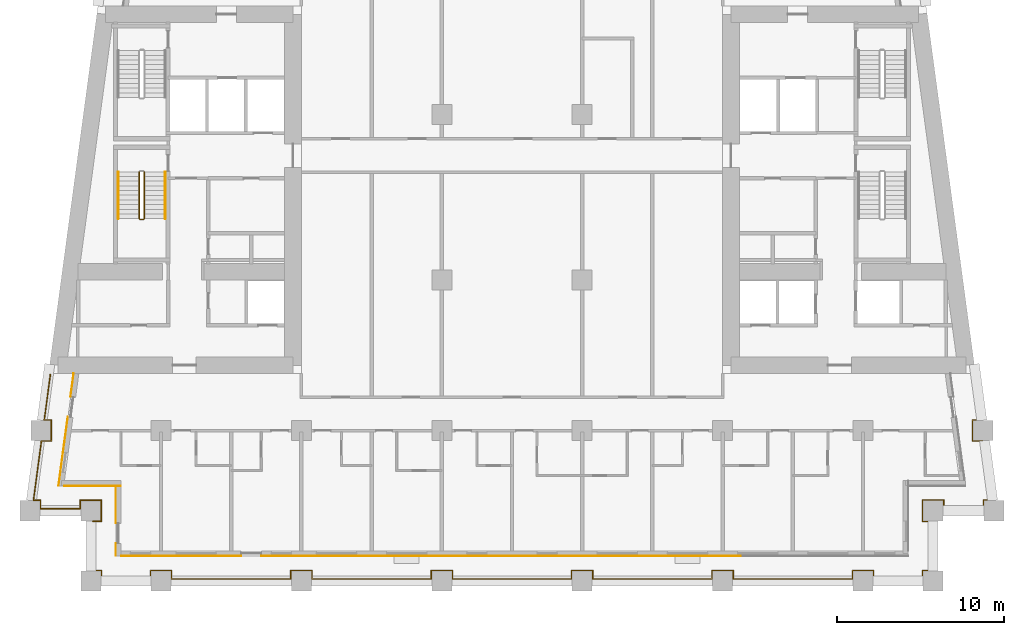
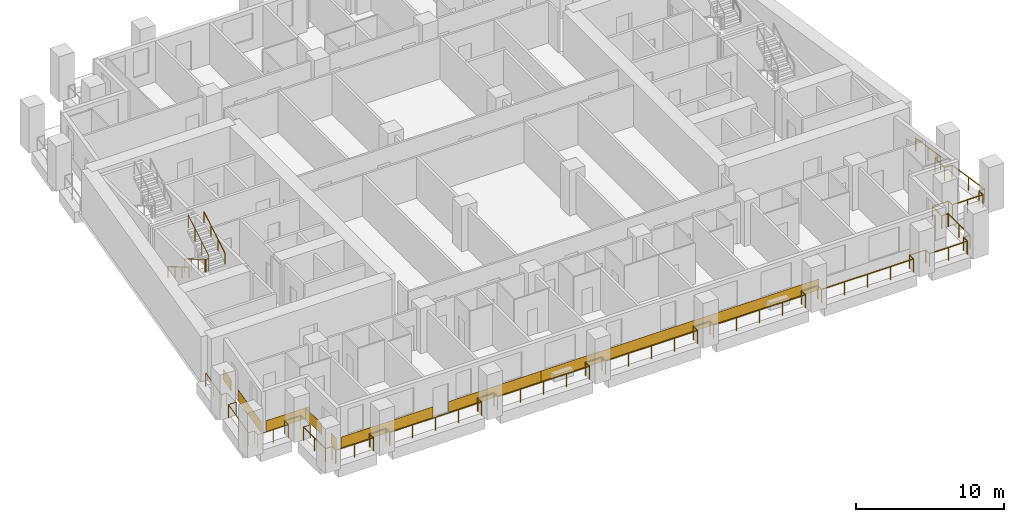
# One storey, part 10 of 14: 8 coverings, 5 railings.
"""IFC4 building model written with IfcOpenShell, lengths in metres."""

from ifc_helpers import new_model, si_unit, direction, frame, origin, origin_2d, place, context, subcontext, project, spatial, rectangle, circle, extrude, material, layer, layer_set, type_object, element, save


model = new_model("IFC4")

# Units and contexts
model_context = context("Model", 3, precision=1e-05, world=origin(), true_north=direction((0.0, 1.0)))
body_context = subcontext(model_context, "Body", "Model", "MODEL_VIEW")
ifc_project = project(units=[si_unit("LENGTHUNIT", "METRE"), si_unit("AREAUNIT", "SQUARE_METRE"), si_unit("VOLUMEUNIT", "CUBIC_METRE"), si_unit("PLANEANGLEUNIT", "RADIAN"), si_unit("MASSUNIT", "GRAM", prefix="KILO")], contexts=[model_context])

# Site, building, storey
site_placement = place(None, origin())
site = spatial("IfcSite", under=ifc_project, at=site_placement, CompositionType="ELEMENT")
building_placement = place(site_placement, origin())
building = spatial("IfcBuilding", under=site, at=building_placement, Name="Candeia Pilgrim Tower and Theatre", CompositionType="ELEMENT")
storey_placement = place(building_placement, frame((0.0, 0.0, 116.89990234375)))
storey = spatial("IfcBuildingStorey", under=building, at=storey_placement, Name="L27", CompositionType="ELEMENT", Elevation=116.89990234375)

# Railings
ifc_material_1 = material(Name="Stainless steel balustrade", Category="steel")
railing_type_1 = type_object("IfcRailingType", Name="G1 loggia guard 1100", PredefinedType="GUARDRAIL", material=ifc_material_1)
railing_1_placement = place(storey_placement, frame((88.320068359375, 101.570068359375, 0.0)))
element("IfcRailing", 1, at=railing_1_placement, inside=storey, type_object=railing_type_1, Name="Guard L27.1", PredefinedType="GUARDRAIL", context=body_context, shape_type="SweptSolid", body=[
    extrude(circle(Radius=0.02392578125, at=origin_2d()), frame((0.0, 0.0, 1.076171875), z_axis=(1.0, 0.0, 0.0), x_axis=(0.0, 1.0, 0.0)), (0.0, 0.0, 1.0), 0.510009765625),
    extrude(circle(Radius=0.02392578125, at=origin_2d()), frame((0.510009765625, 0.0, 1.076171875), z_axis=(0.0, 1.0, 0.0), x_axis=(-1.0, 0.0, 0.0)), (0.0, 0.0, 1.0), 1.260009765625),
    extrude(circle(Radius=0.02392578125, at=origin_2d()), frame((0.510009765625, 1.260009765625, 1.076171875), z_axis=(-1.0, 0.0, 0.0), x_axis=(0.0, -1.0, 0.0)), (0.0, 0.0, 1.0), 1.260009765625),
    extrude(circle(Radius=0.02392578125, at=origin_2d()), frame((-0.75, 1.260009765625, 1.076171875), z_axis=(0.0, -1.0, 0.0), x_axis=(1.0, 0.0, 0.0)), (0.0, 0.0, 1.0), 0.510009765625),
    extrude(circle(Radius=0.02392578125, at=origin_2d()), frame((-0.75, 0.75, 1.076171875), z_axis=(-1.0, 0.0, 0.0), x_axis=(0.0, -1.0, 0.0)), (0.0, 0.0, 1.0), 2.374755859375),
    extrude(circle(Radius=0.02392578125, at=origin_2d()), frame((-3.124755859375, 0.75, 1.076171875), z_axis=(0.0, 1.0, 0.0), x_axis=(-1.0, 0.0, 0.0)), (0.0, 0.0, 1.0), 0.510009765625),
    extrude(circle(Radius=0.02392578125, at=origin_2d()), frame((-3.124755859375, 1.260009765625, 1.076171875), z_axis=(-1.0, 0.0, 0.0), x_axis=(0.0, -1.0, 0.0)), (0.0, 0.0, 1.0), 0.424072265625),
    extrude(circle(Radius=0.02392578125, at=origin_2d()), frame((-3.548828125, 1.260009765625, 1.076171875), z_axis=(0.133417176173, 0.991059966451, 0.0), x_axis=(-0.991059966451, 0.133417176173, 0.0)), (0.0, 0.0, 1.0), 3.572021484375),
    extrude(circle(Radius=0.02392578125, at=origin_2d()), frame((-3.072265625, 4.800048828125, 1.076171875), z_axis=(1.0, 0.0, 0.0), x_axis=(0.0, 1.0, 0.0)), (0.0, 0.0, 1.0), 0.59375),
    extrude(circle(Radius=0.02392578125, at=origin_2d()), frame((-2.478515625, 4.800048828125, 1.076171875), z_axis=(0.0, 1.0, 0.0), x_axis=(-1.0, 0.0, 0.0)), (0.0, 0.0, 1.0), 1.259765625),
    extrude(circle(Radius=0.02392578125, at=origin_2d()), frame((-2.478515625, 6.059814453125, 1.076171875), z_axis=(-1.0, 0.0, 0.0), x_axis=(0.0, -1.0, 0.0)), (0.0, 0.0, 1.0), 0.424072265625),
    extrude(circle(Radius=0.02392578125, at=origin_2d()), frame((-2.902587890625, 6.059814453125, 1.076171875), z_axis=(0.1334220927, 0.991059304572, 0.0), x_axis=(-0.991059304572, 0.1334220927, 0.0)), (0.0, 0.0, 1.0), 2.744873046875),
    extrude(circle(Radius=0.02099609375, at=origin_2d()), origin(), (0.0, 0.0, 1.0), 1.052001953125),
    extrude(circle(Radius=0.02099609375, at=origin_2d()), frame((0.510009765625, 0.0, 0.0)), (0.0, 0.0, 1.0), 1.052001953125),
    extrude(circle(Radius=0.02099609375, at=origin_2d()), frame((0.510009765625, 1.260009765625, 0.0)), (0.0, 0.0, 1.0), 1.052001953125),
    extrude(circle(Radius=0.02099609375, at=origin_2d()), frame((-0.75, 1.260009765625, 0.0)), (0.0, 0.0, 1.0), 1.052001953125),
    extrude(circle(Radius=0.02099609375, at=origin_2d()), frame((-0.75, 0.75, 0.0)), (0.0, 0.0, 1.0), 1.052001953125),
    extrude(circle(Radius=0.02099609375, at=origin_2d()), frame((-1.9375, 0.75, 0.0)), (0.0, 0.0, 1.0), 1.052001953125),
    extrude(circle(Radius=0.02099609375, at=origin_2d()), frame((-3.124755859375, 0.75, 0.0)), (0.0, 0.0, 1.0), 1.052001953125),
    extrude(circle(Radius=0.02099609375, at=origin_2d()), frame((-3.124755859375, 1.260009765625, 0.0)), (0.0, 0.0, 1.0), 1.052001953125),
    extrude(circle(Radius=0.02099609375, at=origin_2d()), frame((-3.548828125, 1.260009765625, 0.0)), (0.0, 0.0, 1.0), 1.052001953125),
    extrude(circle(Radius=0.02099609375, at=origin_2d()), frame((-3.310546875, 3.030029296875, 0.0)), (0.0, 0.0, 1.0), 1.052001953125),
    extrude(circle(Radius=0.02099609375, at=origin_2d()), frame((-3.072265625, 4.800048828125, 0.0)), (0.0, 0.0, 1.0), 1.052001953125),
    extrude(circle(Radius=0.02099609375, at=origin_2d()), frame((-2.478515625, 4.800048828125, 0.0)), (0.0, 0.0, 1.0), 1.052001953125),
    extrude(circle(Radius=0.02099609375, at=origin_2d()), frame((-2.478515625, 6.059814453125, 0.0)), (0.0, 0.0, 1.0), 1.052001953125),
    extrude(circle(Radius=0.02099609375, at=origin_2d()), frame((-2.902587890625, 6.059814453125, 0.0)), (0.0, 0.0, 1.0), 1.052001953125),
    extrude(circle(Radius=0.02099609375, at=origin_2d()), frame((-2.719482421875, 7.419921875, 0.0)), (0.0, 0.0, 1.0), 1.052001953125),
    extrude(circle(Radius=0.02099609375, at=origin_2d()), frame((-2.536376953125, 8.780029296875, 0.0)), (0.0, 0.0, 1.0), 1.052001953125),
])
railing_2_placement = place(storey_placement, frame((141.016357421875, 110.35009765625, 0.0)))
element("IfcRailing", 2, at=railing_2_placement, inside=storey, type_object=railing_type_1, Name="Guard L27.4", PredefinedType="GUARDRAIL", context=body_context, shape_type="SweptSolid", body=[
    extrude(circle(Radius=0.02392578125, at=origin_2d()), frame((0.0, 0.0, 1.076171875), z_axis=(0.1334220927, -0.991059304572, 0.0), x_axis=(0.991059304572, 0.1334220927, 0.0)), (0.0, 0.0, 1.0), 2.744873046875),
    extrude(circle(Radius=0.02392578125, at=origin_2d()), frame((0.3662109375, -2.72021484375, 1.076171875), z_axis=(-1.0, 0.0, 0.0), x_axis=(0.0, -1.0, 0.0)), (0.0, 0.0, 1.0), 0.424072265625),
    extrude(circle(Radius=0.02392578125, at=origin_2d()), frame((-0.057861328125, -2.72021484375, 1.076171875), z_axis=(0.0, -1.0, 0.0), x_axis=(1.0, 0.0, 0.0)), (0.0, 0.0, 1.0), 1.259765625),
    extrude(circle(Radius=0.02392578125, at=origin_2d()), frame((-0.057861328125, -3.97998046875, 1.076171875), z_axis=(1.0, 0.0, 0.0), x_axis=(0.0, 1.0, 0.0)), (0.0, 0.0, 1.0), 0.59375),
    extrude(circle(Radius=0.02392578125, at=origin_2d()), frame((0.535888671875, -3.97998046875, 1.076171875), z_axis=(0.133417176173, -0.991059966451, 0.0), x_axis=(0.991059966451, 0.133417176173, 0.0)), (0.0, 0.0, 1.0), 3.572021484375),
    extrude(circle(Radius=0.02392578125, at=origin_2d()), frame((1.012451171875, -7.52001953125, 1.076171875), z_axis=(-1.0, 0.0, 0.0), x_axis=(0.0, -1.0, 0.0)), (0.0, 0.0, 1.0), 0.424072265625),
    extrude(circle(Radius=0.02392578125, at=origin_2d()), frame((0.58837890625, -7.52001953125, 1.076171875), z_axis=(0.0, -1.0, 0.0), x_axis=(1.0, 0.0, 0.0)), (0.0, 0.0, 1.0), 0.510009765625),
    extrude(circle(Radius=0.02392578125, at=origin_2d()), frame((0.58837890625, -8.030029296875, 1.076171875), z_axis=(-1.0, 0.0, 0.0), x_axis=(0.0, -1.0, 0.0)), (0.0, 0.0, 1.0), 2.374755859375),
    extrude(circle(Radius=0.02392578125, at=origin_2d()), frame((-1.786376953125, -8.030029296875, 1.076171875), z_axis=(0.0, 1.0, 0.0), x_axis=(-1.0, 0.0, 0.0)), (0.0, 0.0, 1.0), 0.510009765625),
    extrude(circle(Radius=0.02392578125, at=origin_2d()), frame((-1.786376953125, -7.52001953125, 1.076171875), z_axis=(-1.0, 0.0, 0.0), x_axis=(0.0, -1.0, 0.0)), (0.0, 0.0, 1.0), 1.260009765625),
    extrude(circle(Radius=0.02392578125, at=origin_2d()), frame((-3.04638671875, -7.52001953125, 1.076171875), z_axis=(0.0, -1.0, 0.0), x_axis=(1.0, 0.0, 0.0)), (0.0, 0.0, 1.0), 1.260009765625),
    extrude(circle(Radius=0.02392578125, at=origin_2d()), frame((-3.04638671875, -8.780029296875, 1.076171875), z_axis=(1.0, 0.0, 0.0), x_axis=(0.0, 1.0, 0.0)), (0.0, 0.0, 1.0), 0.510009765625),
    extrude(circle(Radius=0.02392578125, at=origin_2d()), frame((-2.536376953125, -8.780029296875, 1.076171875), z_axis=(0.0, -1.0, 0.0), x_axis=(1.0, 0.0, 0.0)), (0.0, 0.0, 1.0), 2.940185546875),
    extrude(circle(Radius=0.02392578125, at=origin_2d()), frame((-2.536376953125, -11.72021484375, 1.076171875), z_axis=(-1.0, 0.0, 0.0), x_axis=(0.0, -1.0, 0.0)), (0.0, 0.0, 1.0), 0.510009765625),
    extrude(circle(Radius=0.02392578125, at=origin_2d()), frame((-3.04638671875, -11.72021484375, 1.076171875), z_axis=(0.0, -1.0, 0.0), x_axis=(1.0, 0.0, 0.0)), (0.0, 0.0, 1.0), 0.509765625),
    extrude(circle(Radius=0.02392578125, at=origin_2d()), frame((-3.04638671875, -12.22998046875, 1.076171875), z_axis=(-1.0, 0.0, 0.0), x_axis=(0.0, -1.0, 0.0)), (0.0, 0.0, 1.0), 2.93994140625),
    extrude(circle(Radius=0.02392578125, at=origin_2d()), frame((-5.986328125, -12.22998046875, 1.076171875), z_axis=(0.0, 1.0, 0.0), x_axis=(-1.0, 0.0, 0.0)), (0.0, 0.0, 1.0), 0.509765625),
    extrude(circle(Radius=0.02392578125, at=origin_2d()), frame((-5.986328125, -11.72021484375, 1.076171875), z_axis=(-1.0, 0.0, 0.0), x_axis=(0.0, -1.0, 0.0)), (0.0, 0.0, 1.0), 1.260009765625),
    extrude(circle(Radius=0.02392578125, at=origin_2d()), frame((-7.246337890625, -11.72021484375, 1.076171875), z_axis=(0.0, -1.0, 0.0), x_axis=(1.0, 0.0, 0.0)), (0.0, 0.0, 1.0), 0.509765625),
    extrude(circle(Radius=0.02392578125, at=origin_2d()), frame((-7.246337890625, -12.22998046875, 1.076171875), z_axis=(-1.0, 0.0, 0.0), x_axis=(0.0, -1.0, 0.0)), (0.0, 0.0, 1.0), 7.14013671875),
    extrude(circle(Radius=0.02392578125, at=origin_2d()), frame((-14.386474609375, -12.22998046875, 1.076171875), z_axis=(0.0, 1.0, 0.0), x_axis=(-1.0, 0.0, 0.0)), (0.0, 0.0, 1.0), 0.509765625),
    extrude(circle(Radius=0.02392578125, at=origin_2d()), frame((-14.386474609375, -11.72021484375, 1.076171875), z_axis=(-1.0, 0.0, 0.0), x_axis=(0.0, -1.0, 0.0)), (0.0, 0.0, 1.0), 1.259765625),
    extrude(circle(Radius=0.02392578125, at=origin_2d()), frame((-15.646240234375, -11.72021484375, 1.076171875), z_axis=(0.0, -1.0, 0.0), x_axis=(1.0, 0.0, 0.0)), (0.0, 0.0, 1.0), 0.509765625),
    extrude(circle(Radius=0.02392578125, at=origin_2d()), frame((-15.646240234375, -12.22998046875, 1.076171875), z_axis=(-1.0, 0.0, 0.0), x_axis=(0.0, -1.0, 0.0)), (0.0, 0.0, 1.0), 7.14013671875),
    extrude(circle(Radius=0.02392578125, at=origin_2d()), frame((-22.786376953125, -12.22998046875, 1.076171875), z_axis=(0.0, 1.0, 0.0), x_axis=(-1.0, 0.0, 0.0)), (0.0, 0.0, 1.0), 0.509765625),
    extrude(circle(Radius=0.02392578125, at=origin_2d()), frame((-22.786376953125, -11.72021484375, 1.076171875), z_axis=(-1.0, 0.0, 0.0), x_axis=(0.0, -1.0, 0.0)), (0.0, 0.0, 1.0), 1.260009765625),
    extrude(circle(Radius=0.02392578125, at=origin_2d()), frame((-24.04638671875, -11.72021484375, 1.076171875), z_axis=(0.0, -1.0, 0.0), x_axis=(1.0, 0.0, 0.0)), (0.0, 0.0, 1.0), 0.509765625),
    extrude(circle(Radius=0.02392578125, at=origin_2d()), frame((-24.04638671875, -12.22998046875, 1.076171875), z_axis=(-1.0, 0.0, 0.0), x_axis=(0.0, -1.0, 0.0)), (0.0, 0.0, 1.0), 7.139892578125),
    extrude(circle(Radius=0.02392578125, at=origin_2d()), frame((-31.186279296875, -12.22998046875, 1.076171875), z_axis=(0.0, 1.0, 0.0), x_axis=(-1.0, 0.0, 0.0)), (0.0, 0.0, 1.0), 0.509765625),
    extrude(circle(Radius=0.02392578125, at=origin_2d()), frame((-31.186279296875, -11.72021484375, 1.076171875), z_axis=(-1.0, 0.0, 0.0), x_axis=(0.0, -1.0, 0.0)), (0.0, 0.0, 1.0), 1.260009765625),
    extrude(circle(Radius=0.02392578125, at=origin_2d()), frame((-32.4462890625, -11.72021484375, 1.076171875), z_axis=(0.0, -1.0, 0.0), x_axis=(1.0, 0.0, 0.0)), (0.0, 0.0, 1.0), 0.509765625),
    extrude(circle(Radius=0.02392578125, at=origin_2d()), frame((-32.4462890625, -12.22998046875, 1.076171875), z_axis=(-1.0, 0.0, 0.0), x_axis=(0.0, -1.0, 0.0)), (0.0, 0.0, 1.0), 7.14013671875),
    extrude(circle(Radius=0.02392578125, at=origin_2d()), frame((-39.58642578125, -12.22998046875, 1.076171875), z_axis=(0.0, 1.0, 0.0), x_axis=(-1.0, 0.0, 0.0)), (0.0, 0.0, 1.0), 0.509765625),
    extrude(circle(Radius=0.02392578125, at=origin_2d()), frame((-39.58642578125, -11.72021484375, 1.076171875), z_axis=(-1.0, 0.0, 0.0), x_axis=(0.0, -1.0, 0.0)), (0.0, 0.0, 1.0), 1.260009765625),
    extrude(circle(Radius=0.02392578125, at=origin_2d()), frame((-40.846435546875, -11.72021484375, 1.076171875), z_axis=(0.0, -1.0, 0.0), x_axis=(1.0, 0.0, 0.0)), (0.0, 0.0, 1.0), 0.509765625),
    extrude(circle(Radius=0.02392578125, at=origin_2d()), frame((-40.846435546875, -12.22998046875, 1.076171875), z_axis=(-1.0, 0.0, 0.0), x_axis=(0.0, -1.0, 0.0)), (0.0, 0.0, 1.0), 7.139892578125),
    extrude(circle(Radius=0.02392578125, at=origin_2d()), frame((-47.986328125, -12.22998046875, 1.076171875), z_axis=(0.0, 1.0, 0.0), x_axis=(-1.0, 0.0, 0.0)), (0.0, 0.0, 1.0), 0.509765625),
    extrude(circle(Radius=0.02392578125, at=origin_2d()), frame((-47.986328125, -11.72021484375, 1.076171875), z_axis=(-1.0, 0.0, 0.0), x_axis=(0.0, -1.0, 0.0)), (0.0, 0.0, 1.0), 1.260009765625),
    extrude(circle(Radius=0.02392578125, at=origin_2d()), frame((-49.246337890625, -11.72021484375, 1.076171875), z_axis=(0.0, -1.0, 0.0), x_axis=(1.0, 0.0, 0.0)), (0.0, 0.0, 1.0), 0.509765625),
    extrude(circle(Radius=0.02392578125, at=origin_2d()), frame((-49.246337890625, -12.22998046875, 1.076171875), z_axis=(-1.0, 0.0, 0.0), x_axis=(0.0, -1.0, 0.0)), (0.0, 0.0, 1.0), 2.93994140625),
    extrude(circle(Radius=0.02392578125, at=origin_2d()), frame((-52.186279296875, -12.22998046875, 1.076171875), z_axis=(0.0, 1.0, 0.0), x_axis=(-1.0, 0.0, 0.0)), (0.0, 0.0, 1.0), 0.509765625),
    extrude(circle(Radius=0.02392578125, at=origin_2d()), frame((-52.186279296875, -11.72021484375, 1.076171875), z_axis=(-1.0, 0.0, 0.0), x_axis=(0.0, -1.0, 0.0)), (0.0, 0.0, 1.0), 0.510009765625),
    extrude(circle(Radius=0.02392578125, at=origin_2d()), frame((-52.6962890625, -11.72021484375, 1.076171875), z_axis=(0.0, 1.0, 0.0), x_axis=(-1.0, 0.0, 0.0)), (0.0, 0.0, 1.0), 2.940185546875),
    extrude(circle(Radius=0.02099609375, at=origin_2d()), origin(), (0.0, 0.0, 1.0), 1.052001953125),
    extrude(circle(Radius=0.02099609375, at=origin_2d()), frame((0.18310546875, -1.360107421875, 0.0)), (0.0, 0.0, 1.0), 1.052001953125),
    extrude(circle(Radius=0.02099609375, at=origin_2d()), frame((0.3662109375, -2.72021484375, 0.0)), (0.0, 0.0, 1.0), 1.052001953125),
    extrude(circle(Radius=0.02099609375, at=origin_2d()), frame((-0.057861328125, -2.72021484375, 0.0)), (0.0, 0.0, 1.0), 1.052001953125),
    extrude(circle(Radius=0.02099609375, at=origin_2d()), frame((-0.057861328125, -3.97998046875, 0.0)), (0.0, 0.0, 1.0), 1.052001953125),
    extrude(circle(Radius=0.02099609375, at=origin_2d()), frame((0.535888671875, -3.97998046875, 0.0)), (0.0, 0.0, 1.0), 1.052001953125),
    extrude(circle(Radius=0.02099609375, at=origin_2d()), frame((0.774169921875, -5.75, 0.0)), (0.0, 0.0, 1.0), 1.052001953125),
    extrude(circle(Radius=0.02099609375, at=origin_2d()), frame((1.012451171875, -7.52001953125, 0.0)), (0.0, 0.0, 1.0), 1.052001953125),
    extrude(circle(Radius=0.02099609375, at=origin_2d()), frame((0.58837890625, -7.52001953125, 0.0)), (0.0, 0.0, 1.0), 1.052001953125),
    extrude(circle(Radius=0.02099609375, at=origin_2d()), frame((0.58837890625, -8.030029296875, 0.0)), (0.0, 0.0, 1.0), 1.052001953125),
    extrude(circle(Radius=0.02099609375, at=origin_2d()), frame((-0.59912109375, -8.030029296875, 0.0)), (0.0, 0.0, 1.0), 1.052001953125),
    extrude(circle(Radius=0.02099609375, at=origin_2d()), frame((-1.786376953125, -8.030029296875, 0.0)), (0.0, 0.0, 1.0), 1.052001953125),
    extrude(circle(Radius=0.02099609375, at=origin_2d()), frame((-1.786376953125, -7.52001953125, 0.0)), (0.0, 0.0, 1.0), 1.052001953125),
    extrude(circle(Radius=0.02099609375, at=origin_2d()), frame((-3.04638671875, -7.52001953125, 0.0)), (0.0, 0.0, 1.0), 1.052001953125),
    extrude(circle(Radius=0.02099609375, at=origin_2d()), frame((-3.04638671875, -8.780029296875, 0.0)), (0.0, 0.0, 1.0), 1.052001953125),
    extrude(circle(Radius=0.02099609375, at=origin_2d()), frame((-2.536376953125, -8.780029296875, 0.0)), (0.0, 0.0, 1.0), 1.052001953125),
    extrude(circle(Radius=0.02099609375, at=origin_2d()), frame((-2.536376953125, -10.25, 0.0)), (0.0, 0.0, 1.0), 1.052001953125),
    extrude(circle(Radius=0.02099609375, at=origin_2d()), frame((-2.536376953125, -11.72021484375, 0.0)), (0.0, 0.0, 1.0), 1.052001953125),
    extrude(circle(Radius=0.02099609375, at=origin_2d()), frame((-3.04638671875, -11.72021484375, 0.0)), (0.0, 0.0, 1.0), 1.052001953125),
    extrude(circle(Radius=0.02099609375, at=origin_2d()), frame((-3.04638671875, -12.22998046875, 0.0)), (0.0, 0.0, 1.0), 1.052001953125),
    extrude(circle(Radius=0.02099609375, at=origin_2d()), frame((-4.516357421875, -12.22998046875, 0.0)), (0.0, 0.0, 1.0), 1.052001953125),
    extrude(circle(Radius=0.02099609375, at=origin_2d()), frame((-5.986328125, -12.22998046875, 0.0)), (0.0, 0.0, 1.0), 1.052001953125),
    extrude(circle(Radius=0.02099609375, at=origin_2d()), frame((-5.986328125, -11.72021484375, 0.0)), (0.0, 0.0, 1.0), 1.052001953125),
    extrude(circle(Radius=0.02099609375, at=origin_2d()), frame((-7.246337890625, -11.72021484375, 0.0)), (0.0, 0.0, 1.0), 1.052001953125),
    extrude(circle(Radius=0.02099609375, at=origin_2d()), frame((-7.246337890625, -12.22998046875, 0.0)), (0.0, 0.0, 1.0), 1.052001953125),
    extrude(circle(Radius=0.02099609375, at=origin_2d()), frame((-9.03125, -12.22998046875, 0.0)), (0.0, 0.0, 1.0), 1.052001953125),
    extrude(circle(Radius=0.02099609375, at=origin_2d()), frame((-10.81640625, -12.22998046875, 0.0)), (0.0, 0.0, 1.0), 1.052001953125),
    extrude(circle(Radius=0.02099609375, at=origin_2d()), frame((-12.6015625, -12.22998046875, 0.0)), (0.0, 0.0, 1.0), 1.052001953125),
    extrude(circle(Radius=0.02099609375, at=origin_2d()), frame((-14.386474609375, -12.22998046875, 0.0)), (0.0, 0.0, 1.0), 1.052001953125),
    extrude(circle(Radius=0.02099609375, at=origin_2d()), frame((-14.386474609375, -11.72021484375, 0.0)), (0.0, 0.0, 1.0), 1.052001953125),
    extrude(circle(Radius=0.02099609375, at=origin_2d()), frame((-15.646240234375, -11.72021484375, 0.0)), (0.0, 0.0, 1.0), 1.052001953125),
    extrude(circle(Radius=0.02099609375, at=origin_2d()), frame((-15.646240234375, -12.22998046875, 0.0)), (0.0, 0.0, 1.0), 1.052001953125),
    extrude(circle(Radius=0.02099609375, at=origin_2d()), frame((-17.43115234375, -12.22998046875, 0.0)), (0.0, 0.0, 1.0), 1.052001953125),
    extrude(circle(Radius=0.02099609375, at=origin_2d()), frame((-19.21630859375, -12.22998046875, 0.0)), (0.0, 0.0, 1.0), 1.052001953125),
    extrude(circle(Radius=0.02099609375, at=origin_2d()), frame((-21.00146484375, -12.22998046875, 0.0)), (0.0, 0.0, 1.0), 1.052001953125),
    extrude(circle(Radius=0.02099609375, at=origin_2d()), frame((-22.786376953125, -12.22998046875, 0.0)), (0.0, 0.0, 1.0), 1.052001953125),
    extrude(circle(Radius=0.02099609375, at=origin_2d()), frame((-22.786376953125, -11.72021484375, 0.0)), (0.0, 0.0, 1.0), 1.052001953125),
    extrude(circle(Radius=0.02099609375, at=origin_2d()), frame((-24.04638671875, -11.72021484375, 0.0)), (0.0, 0.0, 1.0), 1.052001953125),
    extrude(circle(Radius=0.02099609375, at=origin_2d()), frame((-24.04638671875, -12.22998046875, 0.0)), (0.0, 0.0, 1.0), 1.052001953125),
    extrude(circle(Radius=0.02099609375, at=origin_2d()), frame((-25.831298828125, -12.22998046875, 0.0)), (0.0, 0.0, 1.0), 1.052001953125),
    extrude(circle(Radius=0.02099609375, at=origin_2d()), frame((-27.6162109375, -12.22998046875, 0.0)), (0.0, 0.0, 1.0), 1.052001953125),
    extrude(circle(Radius=0.02099609375, at=origin_2d()), frame((-29.4013671875, -12.22998046875, 0.0)), (0.0, 0.0, 1.0), 1.052001953125),
    extrude(circle(Radius=0.02099609375, at=origin_2d()), frame((-31.186279296875, -12.22998046875, 0.0)), (0.0, 0.0, 1.0), 1.052001953125),
    extrude(circle(Radius=0.02099609375, at=origin_2d()), frame((-31.186279296875, -11.72021484375, 0.0)), (0.0, 0.0, 1.0), 1.052001953125),
    extrude(circle(Radius=0.02099609375, at=origin_2d()), frame((-32.4462890625, -11.72021484375, 0.0)), (0.0, 0.0, 1.0), 1.052001953125),
    extrude(circle(Radius=0.02099609375, at=origin_2d()), frame((-32.4462890625, -12.22998046875, 0.0)), (0.0, 0.0, 1.0), 1.052001953125),
    extrude(circle(Radius=0.02099609375, at=origin_2d()), frame((-34.2314453125, -12.22998046875, 0.0)), (0.0, 0.0, 1.0), 1.052001953125),
    extrude(circle(Radius=0.02099609375, at=origin_2d()), frame((-36.016357421875, -12.22998046875, 0.0)), (0.0, 0.0, 1.0), 1.052001953125),
    extrude(circle(Radius=0.02099609375, at=origin_2d()), frame((-37.80126953125, -12.22998046875, 0.0)), (0.0, 0.0, 1.0), 1.052001953125),
    extrude(circle(Radius=0.02099609375, at=origin_2d()), frame((-39.58642578125, -12.22998046875, 0.0)), (0.0, 0.0, 1.0), 1.052001953125),
    extrude(circle(Radius=0.02099609375, at=origin_2d()), frame((-39.58642578125, -11.72021484375, 0.0)), (0.0, 0.0, 1.0), 1.052001953125),
    extrude(circle(Radius=0.02099609375, at=origin_2d()), frame((-40.846435546875, -11.72021484375, 0.0)), (0.0, 0.0, 1.0), 1.052001953125),
    extrude(circle(Radius=0.02099609375, at=origin_2d()), frame((-40.846435546875, -12.22998046875, 0.0)), (0.0, 0.0, 1.0), 1.052001953125),
    extrude(circle(Radius=0.02099609375, at=origin_2d()), frame((-42.63134765625, -12.22998046875, 0.0)), (0.0, 0.0, 1.0), 1.052001953125),
    extrude(circle(Radius=0.02099609375, at=origin_2d()), frame((-44.41650390625, -12.22998046875, 0.0)), (0.0, 0.0, 1.0), 1.052001953125),
    extrude(circle(Radius=0.02099609375, at=origin_2d()), frame((-46.201416015625, -12.22998046875, 0.0)), (0.0, 0.0, 1.0), 1.052001953125),
    extrude(circle(Radius=0.02099609375, at=origin_2d()), frame((-47.986328125, -12.22998046875, 0.0)), (0.0, 0.0, 1.0), 1.052001953125),
    extrude(circle(Radius=0.02099609375, at=origin_2d()), frame((-47.986328125, -11.72021484375, 0.0)), (0.0, 0.0, 1.0), 1.052001953125),
    extrude(circle(Radius=0.02099609375, at=origin_2d()), frame((-49.246337890625, -11.72021484375, 0.0)), (0.0, 0.0, 1.0), 1.052001953125),
    extrude(circle(Radius=0.02099609375, at=origin_2d()), frame((-49.246337890625, -12.22998046875, 0.0)), (0.0, 0.0, 1.0), 1.052001953125),
    extrude(circle(Radius=0.02099609375, at=origin_2d()), frame((-50.71630859375, -12.22998046875, 0.0)), (0.0, 0.0, 1.0), 1.052001953125),
    extrude(circle(Radius=0.02099609375, at=origin_2d()), frame((-52.186279296875, -12.22998046875, 0.0)), (0.0, 0.0, 1.0), 1.052001953125),
    extrude(circle(Radius=0.02099609375, at=origin_2d()), frame((-52.186279296875, -11.72021484375, 0.0)), (0.0, 0.0, 1.0), 1.052001953125),
    extrude(circle(Radius=0.02099609375, at=origin_2d()), frame((-52.6962890625, -11.72021484375, 0.0)), (0.0, 0.0, 1.0), 1.052001953125),
    extrude(circle(Radius=0.02099609375, at=origin_2d()), frame((-52.6962890625, -10.25, 0.0)), (0.0, 0.0, 1.0), 1.052001953125),
    extrude(circle(Radius=0.02099609375, at=origin_2d()), frame((-52.6962890625, -8.780029296875, 0.0)), (0.0, 0.0, 1.0), 1.052001953125),
])

# Coverings
ifc_material_2 = material(Name="Glazed ceramic tile red")
ifc_layer_1 = layer(ifc_material_2, 0.02001953125)
ifc_layer_set_1 = layer_set([ifc_layer_1], Name="Glazed ceramic tile red")
covering_type_1 = type_object("IfcCoveringType", Name="Glazed ceramic tile red", PredefinedType="CLADDING", material=ifc_layer_set_1)
covering_1_placement = place(storey_placement, frame((93.610107421875, 99.489990234375, 0.000244140625), z_axis=(0.0, 0.0, 1.0), x_axis=(1.0, 0.0, 0.0)))
element("IfcCovering", 3, at=covering_1_placement, inside=storey, type_object=covering_type_1, Name="Tile cladding red L27", PredefinedType="CLADDING", context=body_context, shape_type="SweptSolid", body=[
    extrude(rectangle(XDim=7.179931640625, YDim=0.02001953125, at=origin_2d()), origin(), (0.0, 0.0, 1.0), 0.89990234375),
])
covering_2_placement = place(storey_placement, frame((102.0, 99.489990234375, 0.000244140625), z_axis=(0.0, 0.0, 1.0), x_axis=(1.0, 0.0, 0.0)))
element("IfcCovering", 4, at=covering_2_placement, inside=storey, type_object=covering_type_1, Name="Tile cladding red L27", PredefinedType="CLADDING", context=body_context, shape_type="SweptSolid", body=[
    extrude(rectangle(XDim=7.199951171875, YDim=0.02001953125, at=origin_2d()), origin(), (0.0, 0.0, 1.0), 0.89990234375),
])
covering_3_placement = place(storey_placement, frame((87.0810546875, 109.71875, 0.000244140625), z_axis=(0.0, 0.0, 1.0), x_axis=(-0.133412012145, -0.991060661622, 0.0)))
element("IfcCovering", 5, at=covering_3_placement, inside=storey, type_object=covering_type_1, Name="Tile cladding red L27", PredefinedType="CLADDING", context=body_context, shape_type="SweptSolid", body=[
    extrude(rectangle(XDim=1.41796875, YDim=0.02001953125, at=origin_2d()), origin(), (0.0, 0.0, 1.0), 0.89990234375),
])
covering_4_placement = place(storey_placement, frame((86.548583984375, 105.763916015625, 0.000244140625), z_axis=(0.0, 0.0, 1.0), x_axis=(-0.133412012145, -0.991060661622, 0.0)))
element("IfcCovering", 6, at=covering_4_placement, inside=storey, type_object=covering_type_1, Name="Tile cladding red L27", PredefinedType="CLADDING", context=body_context, shape_type="SweptSolid", body=[
    extrude(rectangle(XDim=4.16259765625, YDim=0.02001953125, at=origin_2d()), origin(), (0.0, 0.0, 1.0), 0.89990234375),
])
covering_5_placement = place(storey_placement, frame((88.311279296875, 103.68994140625, 0.000244140625), z_axis=(0.0, 0.0, 1.0), x_axis=(1.0, 0.0, 0.0)))
element("IfcCovering", 7, at=covering_5_placement, inside=storey, type_object=covering_type_1, Name="Tile cladding red L27", PredefinedType="CLADDING", context=body_context, shape_type="SweptSolid", body=[
    extrude(rectangle(XDim=3.377685546875, YDim=0.02001953125, at=origin_2d()), origin(), (0.0, 0.0, 1.0), 0.89990234375),
])
covering_6_placement = place(storey_placement, frame((89.68994140625, 102.56494140625, 0.000244140625), z_axis=(0.0, 0.0, 1.0), x_axis=(0.0, -1.0, 0.0)))
element("IfcCovering", 8, at=covering_6_placement, inside=storey, type_object=covering_type_1, Name="Tile cladding red L27", PredefinedType="CLADDING", context=body_context, shape_type="SweptSolid", body=[
    extrude(rectangle(XDim=2.22998046875, YDim=0.02001953125, at=origin_2d()), origin(), (0.0, 0.0, 1.0), 0.89990234375),
])
covering_7_placement = place(storey_placement, frame((89.68994140625, 99.875, 0.000244140625), z_axis=(0.0, 0.0, 1.0), x_axis=(0.0, -1.0, 0.0)))
element("IfcCovering", 9, at=covering_7_placement, inside=storey, type_object=covering_type_1, Name="Tile cladding red L27", PredefinedType="CLADDING", context=body_context, shape_type="SweptSolid", body=[
    extrude(rectangle(XDim=0.75, YDim=0.02001953125, at=origin_2d()), origin(), (0.0, 0.0, 1.0), 0.89990234375),
])
ifc_material_3 = material(Name="Glazed ceramic tile rust")
ifc_layer_2 = layer(ifc_material_3, 0.02001953125)
ifc_layer_set_2 = layer_set([ifc_layer_2], Name="Glazed ceramic tile rust")
covering_type_2 = type_object("IfcCoveringType", Name="Glazed ceramic tile rust", PredefinedType="CLADDING", material=ifc_layer_set_2)
covering_8_placement = place(storey_placement, frame((116.39990234375, 99.489990234375, 0.000244140625), z_axis=(0.0, 0.0, 1.0), x_axis=(1.0, 0.0, 0.0)))
element("IfcCovering", 10, at=covering_8_placement, inside=storey, type_object=covering_type_2, Name="Tile cladding rust L27", PredefinedType="CLADDING", context=body_context, shape_type="SweptSolid", body=[
    extrude(rectangle(XDim=21.60009765625, YDim=0.02001953125, at=origin_2d()), origin(), (0.0, 0.0, 1.0), 0.89990234375),
])

# Railings
railing_type_2 = type_object("IfcRailingType", Name="RL-GUARD-1100", PredefinedType="GUARDRAIL", material=ifc_material_1)
railing_3_placement = place(storey_placement, frame((91.10205078125, 122.47509765625, 0.168212890625)))
element("IfcRailing", 11, at=railing_3_placement, inside=storey, type_object=railing_type_2, Name="L27 ST1 stair guard 1", PredefinedType="GUARDRAIL", context=body_context, shape_type="SweptSolid", body=[
    extrude(circle(Radius=0.02392578125, at=origin_2d()), frame((0.0, 0.0, 1.076171875), z_axis=(0.0, -0.857242210791, 0.514913383045), x_axis=(1.0, 0.0, 0.0)), (0.0, 0.0, 1.0), 3.266357421875),
    extrude(circle(Radius=0.02392578125, at=origin_2d()), frame((0.0, -2.800048828125, 2.7578125), z_axis=(0.707106781187, -0.707106781187, 0.0), x_axis=(0.707106781187, 0.707106781187, 0.0)), (0.0, 0.0, 1.0), 0.07080078125),
    extrude(circle(Radius=0.02392578125, at=origin_2d()), frame((0.050048828125, -2.85009765625, 2.7578125), z_axis=(1.0, 0.0, 0.0), x_axis=(0.0, 1.0, 0.0)), (0.0, 0.0, 1.0), 0.199951171875),
    extrude(circle(Radius=0.02392578125, at=origin_2d()), frame((0.25, -2.85009765625, 2.7578125), z_axis=(0.274243871929, 0.274243871929, 0.92172696468), x_axis=(-0.707106781187, 0.707106781187, 0.0)), (0.0, 0.0, 1.0), 0.1826171875),
    extrude(circle(Radius=0.02392578125, at=origin_2d()), frame((0.300048828125, -2.800048828125, 2.92626953125), z_axis=(0.0, 0.857242210791, 0.514913383045), x_axis=(-1.0, 0.0, 0.0)), (0.0, 0.0, 1.0), 3.266357421875),
    extrude(circle(Radius=0.02099609375, at=origin_2d()), origin(), (0.0, 0.0, 1.0), 1.052001953125),
    extrude(circle(Radius=0.02099609375, at=origin_2d()), frame((0.0, -0.933349609375, 0.560546875)), (0.0, 0.0, 1.0), 1.052001953125),
    extrude(circle(Radius=0.02099609375, at=origin_2d()), frame((0.0, -1.86669921875, 1.121337890625)), (0.0, 0.0, 1.0), 1.052001953125),
    extrude(circle(Radius=0.02099609375, at=origin_2d()), frame((0.0, -2.800048828125, 1.681884765625)), (0.0, 0.0, 1.0), 1.052001953125),
    extrude(circle(Radius=0.02099609375, at=origin_2d()), frame((0.050048828125, -2.85009765625, 1.681884765625)), (0.0, 0.0, 1.0), 1.052001953125),
    extrude(circle(Radius=0.02099609375, at=origin_2d()), frame((0.25, -2.85009765625, 1.681884765625)), (0.0, 0.0, 1.0), 1.052001953125),
    extrude(circle(Radius=0.02099609375, at=origin_2d()), frame((0.300048828125, -2.800048828125, 1.85009765625)), (0.0, 0.0, 1.0), 1.052001953125),
    extrude(circle(Radius=0.02099609375, at=origin_2d()), frame((0.300048828125, -1.86669921875, 2.41064453125)), (0.0, 0.0, 1.0), 1.052001953125),
    extrude(circle(Radius=0.02099609375, at=origin_2d()), frame((0.300048828125, -0.933349609375, 2.971435546875)), (0.0, 0.0, 1.0), 1.052001953125),
    extrude(circle(Radius=0.02099609375, at=origin_2d()), frame((0.300048828125, 0.0, 3.531982421875)), (0.0, 0.0, 1.0), 1.052001953125),
])
ifc_material_4 = material(Name="Stainless steel handrail", Category="steel")
railing_type_3 = type_object("IfcRailingType", Name="RL-HANDRAIL-900", PredefinedType="HANDRAIL", material=ifc_material_4)
railing_4_placement = place(storey_placement, frame((89.85205078125, 122.47509765625, 0.168212890625)))
element("IfcRailing", 12, at=railing_4_placement, inside=storey, type_object=railing_type_3, Name="L27 ST1 stair handrail 1", PredefinedType="HANDRAIL", context=body_context, shape_type="SweptSolid", body=[
    extrude(circle(Radius=0.02392578125, at=origin_2d()), frame((0.0, 0.0, 0.8759765625), z_axis=(0.0, -0.857242210791, 0.514913383045), x_axis=(1.0, 0.0, 0.0)), (0.0, 0.0, 1.0), 3.266357421875),
    extrude(circle(Radius=0.02099609375, at=origin_2d()), origin(), (0.0, 0.0, 1.0), 0.851806640625),
    extrude(circle(Radius=0.02099609375, at=origin_2d()), frame((0.0, -0.933349609375, 0.560546875)), (0.0, 0.0, 1.0), 0.851806640625),
    extrude(circle(Radius=0.02099609375, at=origin_2d()), frame((0.0, -1.86669921875, 1.121337890625)), (0.0, 0.0, 1.0), 0.851806640625),
    extrude(circle(Radius=0.02099609375, at=origin_2d()), frame((0.0, -2.800048828125, 1.681884765625)), (0.0, 0.0, 1.0), 0.851806640625),
])
railing_5_placement = place(storey_placement, frame((92.652099609375, 119.675048828125, 2.018310546875)))
element("IfcRailing", 13, at=railing_5_placement, inside=storey, type_object=railing_type_3, Name="L27 ST1 stair handrail 2", PredefinedType="HANDRAIL", context=body_context, shape_type="SweptSolid", body=[
    extrude(circle(Radius=0.02392578125, at=origin_2d()), frame((0.0, 0.0, 0.8759765625), z_axis=(0.0, 0.857242210791, 0.514913383045), x_axis=(-1.0, 0.0, 0.0)), (0.0, 0.0, 1.0), 3.266357421875),
    extrude(circle(Radius=0.02099609375, at=origin_2d()), origin(), (0.0, 0.0, 1.0), 0.851806640625),
    extrude(circle(Radius=0.02099609375, at=origin_2d()), frame((0.0, 0.933349609375, 0.560546875)), (0.0, 0.0, 1.0), 0.851806640625),
    extrude(circle(Radius=0.02099609375, at=origin_2d()), frame((0.0, 1.86669921875, 1.121337890625)), (0.0, 0.0, 1.0), 0.851806640625),
    extrude(circle(Radius=0.02099609375, at=origin_2d()), frame((0.0, 2.800048828125, 1.681884765625)), (0.0, 0.0, 1.0), 0.851806640625),
])

save(model, "model.ifc")
